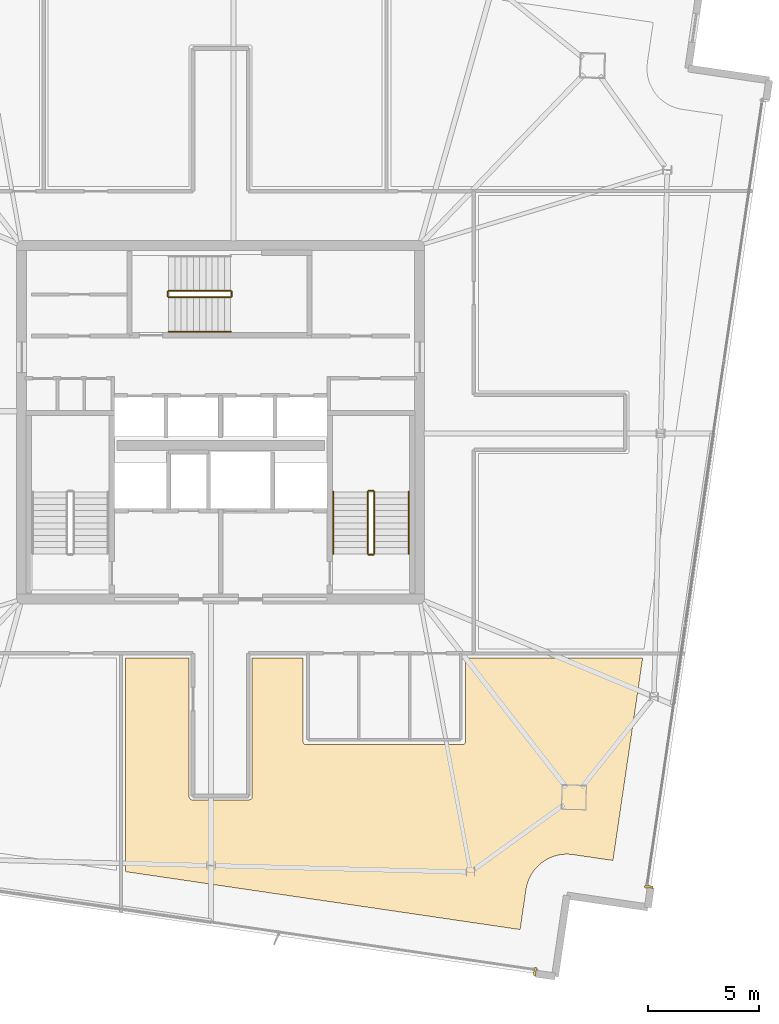
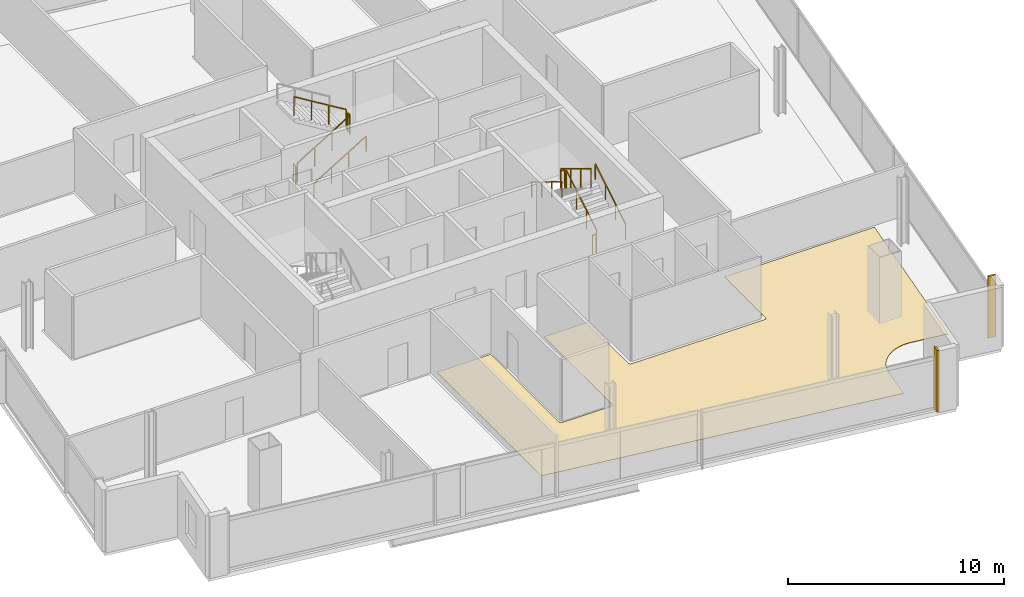
# One storey, part 21 of 22: 11 railings, 3 coverings.
"""IFC4 building model written with IfcOpenShell, lengths in metres."""

from ifc_helpers import new_model, si_unit, direction, frame, origin, origin_2d, place, context, subcontext, project, spatial, polyline, rectangle, outline, extrude, source, transform, mapped, material, layer, layer_set, type_object, element, save


model = new_model("IFC4")

# Units and contexts
model_context = context("Model", 3, precision=1e-05, world=origin(), true_north=direction((0.0, 1.0)))
body_context = subcontext(model_context, "Body", "Model", "MODEL_VIEW")
ifc_project = project(units=[si_unit("LENGTHUNIT", "METRE"), si_unit("AREAUNIT", "SQUARE_METRE"), si_unit("VOLUMEUNIT", "CUBIC_METRE"), si_unit("PLANEANGLEUNIT", "RADIAN"), si_unit("MASSUNIT", "GRAM", prefix="KILO")], contexts=[model_context])

# Site, building, storey
site_placement = place(None, origin())
site = spatial("IfcSite", under=ifc_project, at=site_placement, CompositionType="ELEMENT")
building_placement = place(site_placement, origin())
building = spatial("IfcBuilding", under=site, at=building_placement, Name="Haldenkirk Collegiate Tower", CompositionType="ELEMENT")
storey_placement = place(building_placement, frame((0.0, 0.0, 302.699951171875)))
storey = spatial("IfcBuildingStorey", under=building, at=storey_placement, Name="L76", CompositionType="ELEMENT", Elevation=302.699951171875)

# Covering
ifc_material_1 = material(Name="Engineered collegiate oak acoustic flooring", Category="wood")
ifc_layer_1 = layer(ifc_material_1, 0.02197265625)
ifc_layer_set_1 = layer_set([ifc_layer_1], Name="Engineered collegiate oak acoustic flooring")
covering_type_1 = type_object("IfcCoveringType", Name="COV-FLOOR-TIMBER", PredefinedType="FLOORING", material=ifc_layer_set_1)
covering_placement = place(storey_placement, origin())
element("IfcCovering", 1, at=covering_placement, inside=storey, type_object=covering_type_1, Name="L76 academic room finish 03", PredefinedType="FLOORING", context=body_context, shape_type="SweptSolid", body=[
    extrude(outline(polyline([(51.206787109375, 6.413818359375), (51.1953125, 6.410888671875), (51.031005859375, 6.36083984375), (51.02001953125, 6.35693359375), (50.861572265625, 6.291015625), (50.850830078125, 6.285888671875), (50.699462890625, 6.20458984375), (50.689453125, 6.198486328125), (50.546875, 6.10302734375), (50.537353515625, 6.095947265625), (50.40478515625, 5.98681640625), (50.39599609375, 5.97900390625), (50.274658203125, 5.857177734375), (50.266845703125, 5.848388671875), (50.158203125, 5.715576171875), (50.151123046875, 5.7060546875), (50.055908203125, 5.563232421875), (50.0498046875, 5.552978515625), (49.96923828125, 5.401611328125), (49.964111328125, 5.390869140625), (49.898681640625, 5.232177734375), (49.894775390625, 5.220947265625), (49.84521484375, 5.056640625), (49.84228515625, 5.045166015625), (49.80908203125, 4.876708984375), (49.80810546875, 4.870849609375), (49.542236328125, 3.060302734375), (31.699951171875, 5.67919921875), (31.699951171875, 15.35009765625), (34.580078125, 15.35009765625), (34.580078125, 9.050048828125), (34.58056640625, 9.0380859375), (34.582275390625, 9.026611328125), (34.585205078125, 9.01513671875), (34.589111328125, 9.004150390625), (34.59423828125, 8.993408203125), (34.60009765625, 8.9833984375), (34.607177734375, 8.973876953125), (34.614990234375, 8.965087890625), (34.623779296875, 8.957275390625), (34.63330078125, 8.9501953125), (34.643310546875, 8.944091796875), (34.654052734375, 8.939208984375), (34.665283203125, 8.935302734375), (34.676513671875, 8.932373046875), (34.688232421875, 8.9306640625), (34.699951171875, 8.929931640625), (37.300048828125, 8.929931640625), (37.311767578125, 8.9306640625), (37.323486328125, 8.932373046875), (37.334716796875, 8.935302734375), (37.345947265625, 8.939208984375), (37.356689453125, 8.944091796875), (37.36669921875, 8.9501953125), (37.376220703125, 8.957275390625), (37.385009765625, 8.965087890625), (37.392822265625, 8.973876953125), (37.39990234375, 8.9833984375), (37.40576171875, 8.993408203125), (37.410888671875, 9.004150390625), (37.414794921875, 9.01513671875), (37.417724609375, 9.026611328125), (37.41943359375, 9.0380859375), (37.419921875, 9.050048828125), (37.419921875, 15.35009765625), (39.72998046875, 15.35009765625), (39.72998046875, 11.550048828125), (39.730712890625, 11.5380859375), (39.732421875, 11.526611328125), (39.735107421875, 11.51513671875), (39.739013671875, 11.504150390625), (39.744140625, 11.493408203125), (39.750244140625, 11.4833984375), (39.757080078125, 11.473876953125), (39.76513671875, 11.465087890625), (39.77392578125, 11.457275390625), (39.783203125, 11.4501953125), (39.79345703125, 11.444091796875), (39.80419921875, 11.439208984375), (39.815185546875, 11.435302734375), (39.82666015625, 11.432373046875), (39.838134765625, 11.4306640625), (39.85009765625, 11.429931640625), (46.949951171875, 11.429931640625), (46.9619140625, 11.4306640625), (46.973388671875, 11.432373046875), (46.98486328125, 11.435302734375), (46.995849609375, 11.439208984375), (47.006591796875, 11.444091796875), (47.0166015625, 11.4501953125), (47.026123046875, 11.457275390625), (47.034912109375, 11.465087890625), (47.042724609375, 11.473876953125), (47.0498046875, 11.4833984375), (47.055908203125, 11.493408203125), (47.060791015625, 11.504150390625), (47.064697265625, 11.51513671875), (47.067626953125, 11.526611328125), (47.0693359375, 11.5380859375), (47.070068359375, 11.550048828125), (47.070068359375, 15.35009765625), (55.085693359375, 15.35009765625), (53.740478515625, 6.183837890625), (51.9296875, 6.449462890625), (51.923828125, 6.4501953125), (51.7529296875, 6.466796875), (51.7412109375, 6.46728515625), (51.569580078125, 6.467041015625), (51.557861328125, 6.466552734375), (51.386962890625, 6.449462890625), (51.375244140625, 6.44775390625), (51.206787109375, 6.413818359375)])), origin(), (0.0, 0.0, 1.0), 0.02197265625),
])

# Railings
ifc_material_2 = material(Name="Painted architectural tubular steel", Category="steel")
railing_type_1 = type_object("IfcRailingType", Name="RLG-STAIR-GUARD-1100", PredefinedType="BALUSTRADE", material=ifc_material_2)
railing_1_placement = place(storey_placement, frame((42.949951171875, 20.050048828125, 0.17041015625)))
element("IfcRailing", 2, at=railing_1_placement, inside=storey, type_object=railing_type_1, Name="L76 ST-2 stair guard 1", PredefinedType="BALUSTRADE", context=body_context, shape_type="SweptSolid", body=[
    extrude(rectangle(XDim=0.048095703125, YDim=0.048095703125, at=origin_2d()), frame((0.0, 0.0, 1.076171875), z_axis=(0.0, 0.854169791009, 0.51999420009), x_axis=(-1.0, 0.0, 0.0)), (0.0, 0.0, 1.0), 3.278076171875),
    extrude(rectangle(XDim=0.0419921875, YDim=0.0419921875, at=origin_2d()), origin(), (0.0, 0.0, 1.0), 1.052001953125),
    extrude(rectangle(XDim=0.0419921875, YDim=0.0419921875, at=origin_2d()), frame((0.0, 0.933349609375, 0.568115234375)), (0.0, 0.0, 1.0), 1.052001953125),
    extrude(rectangle(XDim=0.0419921875, YDim=0.0419921875, at=origin_2d()), frame((0.0, 1.86669921875, 1.136474609375)), (0.0, 0.0, 1.0), 1.052001953125),
    extrude(rectangle(XDim=0.0419921875, YDim=0.0419921875, at=origin_2d()), frame((0.0, 2.800048828125, 1.70458984375)), (0.0, 0.0, 1.0), 1.052001953125),
])
railing_2_placement = place(storey_placement, frame((42.89990234375, 22.89990234375, 1.875)))
element("IfcRailing", 3, at=railing_2_placement, inside=storey, type_object=railing_type_1, Name="L76 ST-2 stair guard 2", PredefinedType="BALUSTRADE", context=body_context, shape_type="SweptSolid", body=[
    extrude(rectangle(XDim=0.048095703125, YDim=0.048095703125, at=origin_2d()), frame((0.0, 0.0, 1.076171875), z_axis=(-1.0, 0.0, 0.0), x_axis=(0.0, -1.0, 0.0)), (0.0, 0.0, 1.0), 0.199951171875),
    extrude(rectangle(XDim=0.0419921875, YDim=0.0419921875, at=origin_2d()), origin(), (0.0, 0.0, 1.0), 1.052001953125),
    extrude(rectangle(XDim=0.0419921875, YDim=0.0419921875, at=origin_2d()), frame((-0.199951171875, 0.0, 0.0)), (0.0, 0.0, 1.0), 1.052001953125),
])
railing_3_placement = place(storey_placement, frame((42.64990234375, 22.85009765625, 2.04541015625)))
element("IfcRailing", 4, at=railing_3_placement, inside=storey, type_object=railing_type_1, Name="L76 ST-2 stair guard 3", PredefinedType="BALUSTRADE", context=body_context, shape_type="SweptSolid", body=[
    extrude(rectangle(XDim=0.048095703125, YDim=0.048095703125, at=origin_2d()), frame((0.0, 0.0, 1.076171875), z_axis=(0.0, -0.854169791009, 0.51999420009), x_axis=(1.0, 0.0, 0.0)), (0.0, 0.0, 1.0), 3.278076171875),
    extrude(rectangle(XDim=0.0419921875, YDim=0.0419921875, at=origin_2d()), origin(), (0.0, 0.0, 1.0), 1.052001953125),
    extrude(rectangle(XDim=0.0419921875, YDim=0.0419921875, at=origin_2d()), frame((0.0, -0.933349609375, 0.568115234375)), (0.0, 0.0, 1.0), 1.052001953125),
    extrude(rectangle(XDim=0.0419921875, YDim=0.0419921875, at=origin_2d()), frame((0.0, -1.86669921875, 1.136474609375)), (0.0, 0.0, 1.0), 1.052001953125),
    extrude(rectangle(XDim=0.0419921875, YDim=0.0419921875, at=origin_2d()), frame((0.0, -2.800048828125, 1.70458984375)), (0.0, 0.0, 1.0), 1.052001953125),
])
railing_4_placement = place(storey_placement, frame((42.89990234375, 20.0, 0.0)))
element("IfcRailing", 5, at=railing_4_placement, inside=storey, type_object=railing_type_1, Name="L76 ST-2 stair guard 4", PredefinedType="BALUSTRADE", context=body_context, shape_type="SweptSolid", body=[
    extrude(rectangle(XDim=0.048095703125, YDim=0.048095703125, at=origin_2d()), frame((0.0, 0.0, 1.076171875), z_axis=(-1.0, 0.0, 0.0), x_axis=(0.0, -1.0, 0.0)), (0.0, 0.0, 1.0), 0.199951171875),
    extrude(rectangle(XDim=0.0419921875, YDim=0.0419921875, at=origin_2d()), origin(), (0.0, 0.0, 1.0), 1.052001953125),
    extrude(rectangle(XDim=0.0419921875, YDim=0.0419921875, at=origin_2d()), frame((-0.199951171875, 0.0, 0.0)), (0.0, 0.0, 1.0), 1.052001953125),
])
railing_5_placement = place(storey_placement, frame((33.64990234375, 31.64990234375, 0.17041015625)))
element("IfcRailing", 6, at=railing_5_placement, inside=storey, type_object=railing_type_1, Name="L76 ST-3 stair guard 1", PredefinedType="BALUSTRADE", context=body_context, shape_type="SweptSolid", body=[
    extrude(rectangle(XDim=0.048095703125, YDim=0.048095703125, at=origin_2d()), frame((0.0, 0.0, 1.076171875), z_axis=(0.854169791009, 0.0, 0.51999420009), x_axis=(0.0, 1.0, 0.0)), (0.0, 0.0, 1.0), 3.278076171875),
    extrude(rectangle(XDim=0.0419921875, YDim=0.0419921875, at=origin_2d()), origin(), (0.0, 0.0, 1.0), 1.052001953125),
    extrude(rectangle(XDim=0.0419921875, YDim=0.0419921875, at=origin_2d()), frame((0.933349609375, 0.0, 0.568115234375)), (0.0, 0.0, 1.0), 1.052001953125),
    extrude(rectangle(XDim=0.0419921875, YDim=0.0419921875, at=origin_2d()), frame((1.86669921875, 0.0, 1.136474609375)), (0.0, 0.0, 1.0), 1.052001953125),
    extrude(rectangle(XDim=0.0419921875, YDim=0.0419921875, at=origin_2d()), frame((2.800048828125, 0.0, 1.70458984375)), (0.0, 0.0, 1.0), 1.052001953125),
])
railing_6_placement = place(storey_placement, frame((36.5, 31.699951171875, 1.875)))
element("IfcRailing", 7, at=railing_6_placement, inside=storey, type_object=railing_type_1, Name="L76 ST-3 stair guard 2", PredefinedType="BALUSTRADE", context=body_context, shape_type="SweptSolid", body=[
    extrude(rectangle(XDim=0.048095703125, YDim=0.048095703125, at=origin_2d()), frame((0.0, 0.0, 1.076171875), z_axis=(0.0, 1.0, 0.0), x_axis=(-1.0, 0.0, 0.0)), (0.0, 0.0, 1.0), 0.199951171875),
    extrude(rectangle(XDim=0.0419921875, YDim=0.0419921875, at=origin_2d()), origin(), (0.0, 0.0, 1.0), 1.052001953125),
    extrude(rectangle(XDim=0.0419921875, YDim=0.0419921875, at=origin_2d()), frame((0.0, 0.199951171875, 0.0)), (0.0, 0.0, 1.0), 1.052001953125),
])
railing_7_placement = place(storey_placement, frame((36.449951171875, 31.949951171875, 2.04541015625)))
element("IfcRailing", 8, at=railing_7_placement, inside=storey, type_object=railing_type_1, Name="L76 ST-3 stair guard 3", PredefinedType="BALUSTRADE", context=body_context, shape_type="SweptSolid", body=[
    extrude(rectangle(XDim=0.048095703125, YDim=0.048095703125, at=origin_2d()), frame((0.0, 0.0, 1.076171875), z_axis=(-0.854169791009, 0.0, 0.51999420009), x_axis=(0.0, -1.0, 0.0)), (0.0, 0.0, 1.0), 3.278076171875),
    extrude(rectangle(XDim=0.0419921875, YDim=0.0419921875, at=origin_2d()), origin(), (0.0, 0.0, 1.0), 1.052001953125),
    extrude(rectangle(XDim=0.0419921875, YDim=0.0419921875, at=origin_2d()), frame((-0.933349609375, 0.0, 0.568115234375)), (0.0, 0.0, 1.0), 1.052001953125),
    extrude(rectangle(XDim=0.0419921875, YDim=0.0419921875, at=origin_2d()), frame((-1.86669921875, 0.0, 1.136474609375)), (0.0, 0.0, 1.0), 1.052001953125),
    extrude(rectangle(XDim=0.0419921875, YDim=0.0419921875, at=origin_2d()), frame((-2.800048828125, 0.0, 1.70458984375)), (0.0, 0.0, 1.0), 1.052001953125),
])
railing_8_placement = place(storey_placement, frame((33.60009765625, 31.699951171875, 0.0)))
element("IfcRailing", 9, at=railing_8_placement, inside=storey, type_object=railing_type_1, Name="L76 ST-3 stair guard 4", PredefinedType="BALUSTRADE", context=body_context, shape_type="SweptSolid", body=[
    extrude(rectangle(XDim=0.048095703125, YDim=0.048095703125, at=origin_2d()), frame((0.0, 0.0, 1.076171875), z_axis=(0.0, 1.0, 0.0), x_axis=(-1.0, 0.0, 0.0)), (0.0, 0.0, 1.0), 0.199951171875),
    extrude(rectangle(XDim=0.0419921875, YDim=0.0419921875, at=origin_2d()), origin(), (0.0, 0.0, 1.0), 1.052001953125),
    extrude(rectangle(XDim=0.0419921875, YDim=0.0419921875, at=origin_2d()), frame((0.0, 0.199951171875, 0.0)), (0.0, 0.0, 1.0), 1.052001953125),
])
railing_type_2 = type_object("IfcRailingType", Name="RLG-STAIR-HANDRAIL-900", PredefinedType="HANDRAIL", material=ifc_material_2)
railing_9_placement = place(storey_placement, frame((44.5, 20.050048828125, 0.17041015625)))
element("IfcRailing", 10, at=railing_9_placement, inside=storey, type_object=railing_type_2, Name="L76 ST-2 stair handrail 1", PredefinedType="HANDRAIL", context=body_context, shape_type="SweptSolid", body=[
    extrude(rectangle(XDim=0.048095703125, YDim=0.048095703125, at=origin_2d()), frame((0.0, 0.0, 0.8759765625), z_axis=(0.0, 0.854169791009, 0.51999420009), x_axis=(-1.0, 0.0, 0.0)), (0.0, 0.0, 1.0), 3.278076171875),
    extrude(rectangle(XDim=0.0419921875, YDim=0.0419921875, at=origin_2d()), origin(), (0.0, 0.0, 1.0), 0.851806640625),
    extrude(rectangle(XDim=0.0419921875, YDim=0.0419921875, at=origin_2d()), frame((0.0, 0.933349609375, 0.568115234375)), (0.0, 0.0, 1.0), 0.851806640625),
    extrude(rectangle(XDim=0.0419921875, YDim=0.0419921875, at=origin_2d()), frame((0.0, 1.86669921875, 1.136474609375)), (0.0, 0.0, 1.0), 0.851806640625),
    extrude(rectangle(XDim=0.0419921875, YDim=0.0419921875, at=origin_2d()), frame((0.0, 2.800048828125, 1.70458984375)), (0.0, 0.0, 1.0), 0.851806640625),
])
railing_10_placement = place(storey_placement, frame((41.10009765625, 22.85009765625, 2.04541015625)))
element("IfcRailing", 11, at=railing_10_placement, inside=storey, type_object=railing_type_2, Name="L76 ST-2 stair handrail 2", PredefinedType="HANDRAIL", context=body_context, shape_type="SweptSolid", body=[
    extrude(rectangle(XDim=0.048095703125, YDim=0.048095703125, at=origin_2d()), frame((0.0, 0.0, 0.8759765625), z_axis=(0.0, -0.854169791009, 0.51999420009), x_axis=(1.0, 0.0, 0.0)), (0.0, 0.0, 1.0), 3.278076171875),
    extrude(rectangle(XDim=0.0419921875, YDim=0.0419921875, at=origin_2d()), origin(), (0.0, 0.0, 1.0), 0.851806640625),
    extrude(rectangle(XDim=0.0419921875, YDim=0.0419921875, at=origin_2d()), frame((0.0, -0.933349609375, 0.568115234375)), (0.0, 0.0, 1.0), 0.851806640625),
    extrude(rectangle(XDim=0.0419921875, YDim=0.0419921875, at=origin_2d()), frame((0.0, -1.86669921875, 1.136474609375)), (0.0, 0.0, 1.0), 0.851806640625),
    extrude(rectangle(XDim=0.0419921875, YDim=0.0419921875, at=origin_2d()), frame((0.0, -2.800048828125, 1.70458984375)), (0.0, 0.0, 1.0), 0.851806640625),
])
railing_11_placement = place(storey_placement, frame((33.64990234375, 30.10009765625, 0.17041015625)))
element("IfcRailing", 12, at=railing_11_placement, inside=storey, type_object=railing_type_2, Name="L76 ST-3 stair handrail 1", PredefinedType="HANDRAIL", context=body_context, shape_type="SweptSolid", body=[
    extrude(rectangle(XDim=0.048095703125, YDim=0.048095703125, at=origin_2d()), frame((0.0, 0.0, 0.8759765625), z_axis=(0.854169791009, 0.0, 0.51999420009), x_axis=(0.0, 1.0, 0.0)), (0.0, 0.0, 1.0), 3.278076171875),
    extrude(rectangle(XDim=0.0419921875, YDim=0.0419921875, at=origin_2d()), origin(), (0.0, 0.0, 1.0), 0.851806640625),
    extrude(rectangle(XDim=0.0419921875, YDim=0.0419921875, at=origin_2d()), frame((0.933349609375, 0.0, 0.568115234375)), (0.0, 0.0, 1.0), 0.851806640625),
    extrude(rectangle(XDim=0.0419921875, YDim=0.0419921875, at=origin_2d()), frame((1.86669921875, 0.0, 1.136474609375)), (0.0, 0.0, 1.0), 0.851806640625),
    extrude(rectangle(XDim=0.0419921875, YDim=0.0419921875, at=origin_2d()), frame((2.800048828125, 0.0, 1.70458984375)), (0.0, 0.0, 1.0), 0.851806640625),
])

# Coverings
ifc_material_3 = material(Name="Anodised architectural bronze aluminium", Category="aluminium")
ifc_layer_2 = layer(ifc_material_3, 0.06005859375)
ifc_layer_set_2 = layer_set([ifc_layer_2], Name="Anodised architectural bronze aluminium")
covering_type_2 = type_object("IfcCoveringType", Name="COV-CLAD-BRONZE-60", PredefinedType="CLADDING", material=ifc_layer_set_2)
shared_shape = source(origin(), body_context, "Body", "SweptSolid", [
    extrude(rectangle(XDim=0.10009765625, YDim=0.3798828125, at=origin_2d()), origin(), (0.0, 0.0, 1.0), 3.489990234375),
])
for number, where, z_axis, x_axis, name in (
    (13, (55.364990234375, 4.995361328125, 0.0), (0.0, 0.0, 1.0), (-0.145219670077, -0.989399437751, 0.0), "L76 recessed curtain-wall bronze jamb closure SJR"),
    (14, (50.2138671875, 1.16259765625, 0.0), (0.0, 0.0, 1.0), (-0.989399437751, 0.145219670077, 0.0), "L76 recessed curtain-wall bronze jamb closure WJL"),
):
    element("IfcCovering", number, at=place(storey_placement, frame(where, z_axis=z_axis, x_axis=x_axis)), inside=storey, type_object=covering_type_2, Name=name, PredefinedType="CLADDING", context=body_context, shape_type="MappedRepresentation", body=[
        mapped(shared_shape, transform((0.0, 0.0, 0.0), x_axis=(1.0, 0.0, 0.0), y_axis=(0.0, 1.0, 0.0), z_axis=(0.0, 0.0, 1.0), scale=1.0)),
    ])

save(model, "model.ifc")
